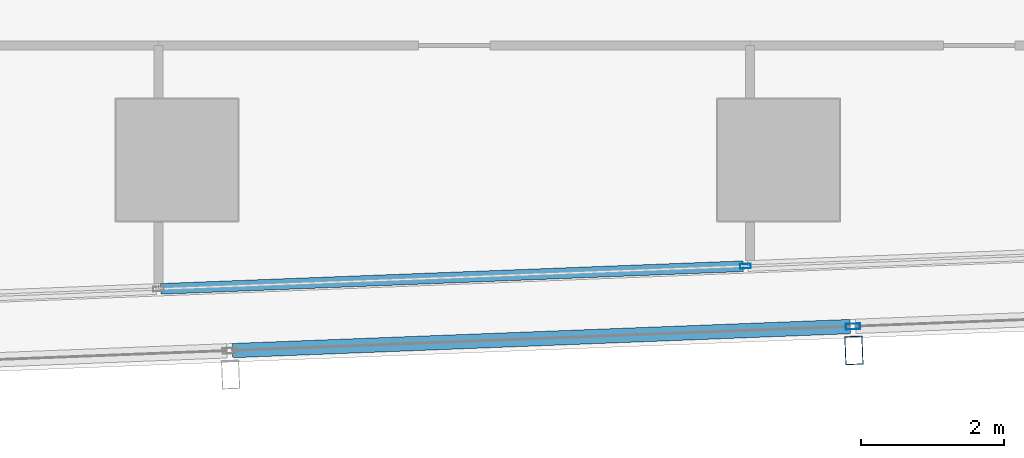
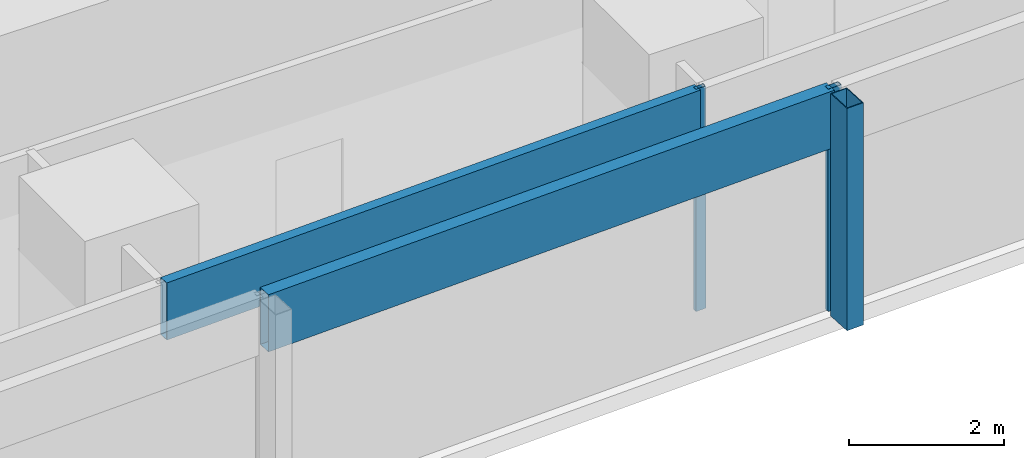
# One storey, part 7 of 38: 5 members, 2 elements without a shape of their own.
"""IFC4 building model written with IfcOpenShell, lengths in metres."""

from ifc_helpers import new_model, si_unit, direction, frame, origin, origin_2d, place, context, subcontext, project, spatial, hollow_rectangle, extrude, material, material_profile, profile_set, type_object, element, aggregate, save


model = new_model("IFC4")

# Units and contexts
model_context = context("Model", 3, precision=1e-05, world=origin(), true_north=direction((0.0, 1.0)))
body_context = subcontext(model_context, "Body", "Model", "MODEL_VIEW")
ifc_project = project(units=[si_unit("LENGTHUNIT", "METRE"), si_unit("AREAUNIT", "SQUARE_METRE"), si_unit("VOLUMEUNIT", "CUBIC_METRE"), si_unit("PLANEANGLEUNIT", "RADIAN"), si_unit("MASSUNIT", "GRAM", prefix="KILO")], contexts=[model_context])

# Site, building, storey
site_placement = place(None, origin())
site = spatial("IfcSite", under=ifc_project, at=site_placement, CompositionType="ELEMENT")
building_placement = place(site_placement, origin())
building = spatial("IfcBuilding", under=site, at=building_placement, Name="Rekha Terrace Tower", CompositionType="ELEMENT")
storey_placement = place(building_placement, frame((0.0, 0.0, 114.050048828125)))
storey = spatial("IfcBuildingStorey", under=building, at=storey_placement, Name="L28", CompositionType="ELEMENT", Elevation=114.050048828125)

# Curtain wall, member
ifc_material_1 = material(Name="Aluminium framing", Category="aluminium")
curtain_wall_type_1 = type_object("IfcCurtainWallType", Name="CW2 double skin outer glazing", PredefinedType="USERDEFINED", material=ifc_material_1)
curtain_wall_1_placement = place(storey_placement, origin())
curtain_wall_1 = element("IfcCurtainWall", 1, at=curtain_wall_1_placement, inside=storey, type_object=curtain_wall_type_1, Name="CW2 double skin outer glazing", ObjectType="DOUBLE SKIN OUTER GLAZING", PredefinedType="USERDEFINED")
ifc_material_2 = material(Name="Steel S355 with fluorocarbon finish", Category="steel")
ifc_material_profile_1 = material_profile(ifc_material_2, hollow_rectangle(XDim=0.25, YDim=0.39990234375, WallThickness=0.012451171875, at=origin_2d()), Name="RHS400x250x12.5")
ifc_profile_set_1 = profile_set([ifc_material_profile_1], Name="Steel S355 with fluorocarbon finish")
member_type_1 = type_object("IfcMemberType", Name="BL1 facade blade RHS 400 x 250", PredefinedType="USERDEFINED", material=ifc_profile_set_1)
member_1_placement = place(storey_placement, frame((51.4521484375, 14.141845703125, 0.0), z_axis=(0.0, 0.0, 1.0), x_axis=(0.999243494356, 0.038890088543, 0.0)))
member_1 = element("IfcMember", 2, at=member_1_placement, type_object=member_type_1, Name="Facade blade", ObjectType="FACADE BLADE", PredefinedType="USERDEFINED", context=body_context, shape_type="SweptSolid", body=[
    extrude(hollow_rectangle(XDim=0.25, YDim=0.39990234375, WallThickness=0.012451171875, at=origin_2d()), origin(), (0.0, 0.0, 1.0), 3.5),
])

# Curtain wall, members
curtain_wall_type_2 = type_object("IfcCurtainWallType", Name="CW1 double skin inner glazing", PredefinedType="USERDEFINED", material=ifc_material_1)
curtain_wall_2_placement = place(storey_placement, origin())
curtain_wall_2 = element("IfcCurtainWall", 3, at=curtain_wall_2_placement, inside=storey, type_object=curtain_wall_type_2, Name="CW1 double skin inner glazing", ObjectType="DOUBLE SKIN INNER GLAZING", PredefinedType="USERDEFINED")
ifc_material_3 = material(Name="Aluminium mullion section", Category="aluminium")
ifc_material_profile_2 = material_profile(ifc_material_3, hollow_rectangle(XDim=0.06494140625, YDim=0.14990234375, WallThickness=0.00390625, at=origin_2d()), Name="AL RHS 65x150")
ifc_profile_set_2 = profile_set([ifc_material_profile_2], Name="Aluminium mullion section")
member_type_2 = type_object("IfcMemberType", Name="CW1 mullion RHS 65 x 150", PredefinedType="MULLION", material=ifc_profile_set_2)
member_2_placement = place(storey_placement, frame((49.936767578125, 15.31884765625, 0.0), z_axis=(0.0, 0.0, 1.0), x_axis=(-0.038889971345, 0.999243498917, 0.0)))
member_2 = element("IfcMember", 4, at=member_2_placement, type_object=member_type_2, Name="CW1 mullion 4", PredefinedType="MULLION", context=body_context, shape_type="SweptSolid", body=[
    extrude(hollow_rectangle(XDim=0.06494140625, YDim=0.14990234375, WallThickness=0.00390625, at=origin_2d()), origin(), (0.0, 0.0, 1.0), 3.5),
])
ifc_material_4 = material(Name="Insulated aluminium spandrel box", Category="aluminium")
ifc_material_profile_3 = material_profile(ifc_material_4, hollow_rectangle(XDim=0.14990234375, YDim=0.89990234375, WallThickness=0.0029296875, at=origin_2d()), Name="AL SPANDREL BOX 150x900")
ifc_profile_set_3 = profile_set([ifc_material_profile_3], Name="Insulated aluminium spandrel box")
member_type_3 = type_object("IfcMemberType", Name="CW1 spandrel transom 150 x 900", PredefinedType="USERDEFINED", material=ifc_profile_set_3)
member_3_placement = place(storey_placement, frame((41.772705078125, 15.001220703125, 3.050048828125), z_axis=(0.999243835719, 0.038881316573, 0.0), x_axis=(-0.038881316573, 0.999243835719, 0.0)))
member_3 = element("IfcMember", 5, at=member_3_placement, type_object=member_type_3, Name="CW1 spandrel transom 3", ObjectType="TRANSOM", PredefinedType="USERDEFINED", context=body_context, shape_type="SweptSolid", body=[
    extrude(hollow_rectangle(XDim=0.14990234375, YDim=0.89990234375, WallThickness=0.0029296875, at=origin_2d()), origin(), (0.0, 0.0, 1.0), 8.1376953125),
])
aggregate(curtain_wall_2, [member_2, member_3])

# Member
ifc_material_profile_4 = material_profile(ifc_material_3, hollow_rectangle(XDim=0.080078125, YDim=0.199951171875, WallThickness=0.00390625, at=origin_2d()), Name="AL RHS 80x200")
ifc_profile_set_4 = profile_set([ifc_material_profile_4], Name="Aluminium mullion section")
member_type_4 = type_object("IfcMemberType", Name="CW2 mullion RHS 80 x 200", PredefinedType="MULLION", material=ifc_profile_set_4)
member_4_placement = place(storey_placement, frame((51.439208984375, 14.4765625, 0.0), z_axis=(0.0, 0.0, 1.0), x_axis=(-0.038889971345, 0.999243498917, 0.0)))
member_4 = element("IfcMember", 6, at=member_4_placement, type_object=member_type_4, Name="CW2 mullion 4", PredefinedType="MULLION", context=body_context, shape_type="SweptSolid", body=[
    extrude(hollow_rectangle(XDim=0.080078125, YDim=0.199951171875, WallThickness=0.00390625, at=origin_2d()), origin(), (0.0, 0.0, 1.0), 3.5),
])

ifc_material_profile_5 = material_profile(ifc_material_4, hollow_rectangle(XDim=0.199951171875, YDim=0.89990234375, WallThickness=0.0029296875, at=origin_2d()), Name="AL SPANDREL BOX 200x900")
ifc_profile_set_5 = profile_set([ifc_material_profile_5], Name="Insulated aluminium spandrel box")
member_type_5 = type_object("IfcMemberType", Name="CW2 spandrel transom 200 x 900", PredefinedType="USERDEFINED", material=ifc_profile_set_5)
member_5_placement = place(storey_placement, frame((42.774169921875, 14.139404296875, 3.050048828125), z_axis=(0.999243438523, 0.038891523097, 0.0), x_axis=(-0.038891523097, 0.999243438523, 0.0)))
member_5 = element("IfcMember", 7, at=member_5_placement, type_object=member_type_5, Name="CW2 spandrel transom 3", ObjectType="TRANSOM", PredefinedType="USERDEFINED", context=body_context, shape_type="SweptSolid", body=[
    extrude(hollow_rectangle(XDim=0.199951171875, YDim=0.89990234375, WallThickness=0.0029296875, at=origin_2d()), origin(), (0.0, 0.0, 1.0), 8.631591796875),
])

aggregate(curtain_wall_1, [member_4, member_5, member_1])

save(model, "model.ifc")
